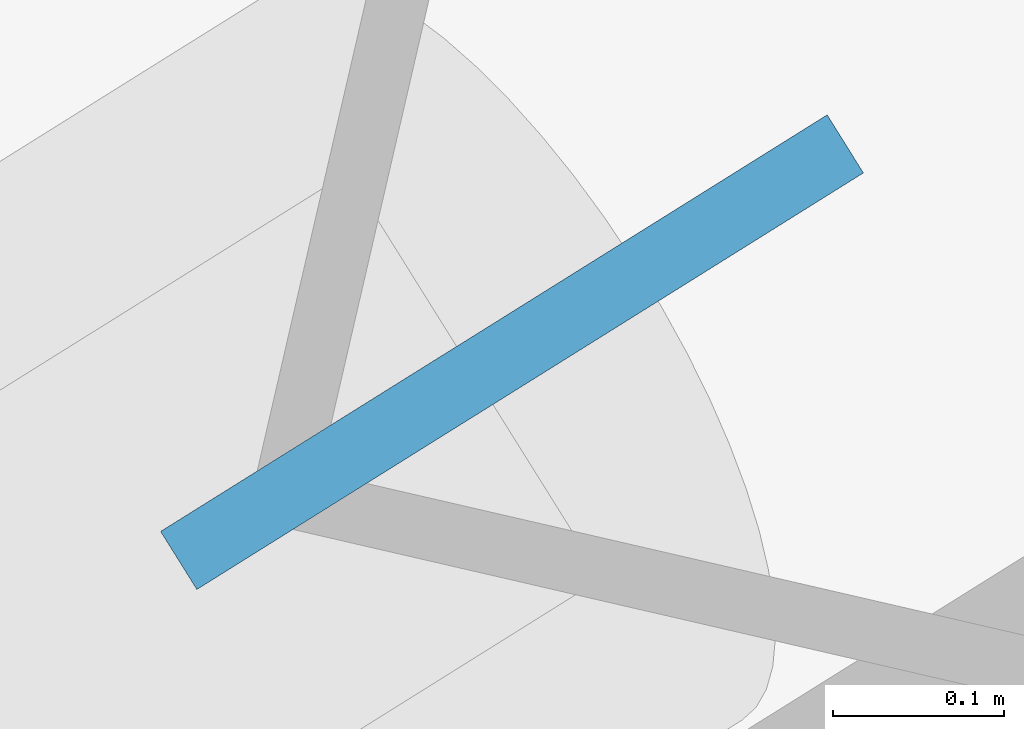
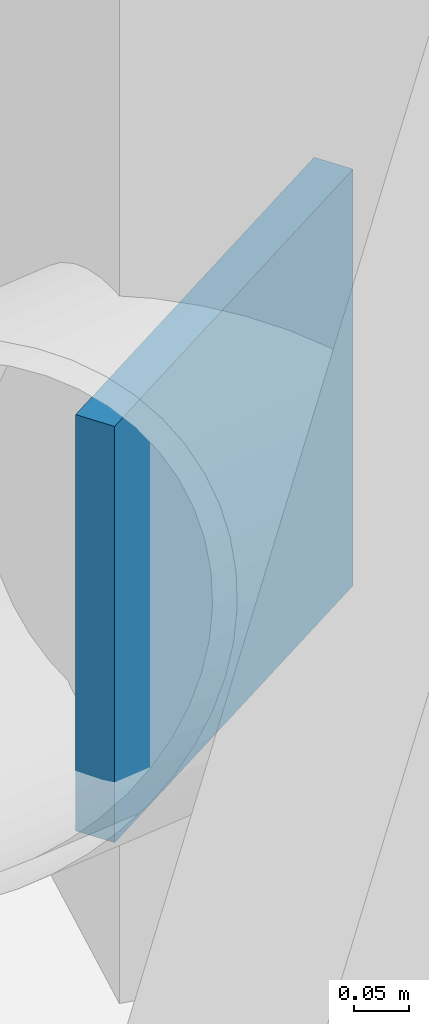
# One storey, part 18 of 21: 1 discrete accessory.
"""IFC4 building model written with IfcOpenShell, lengths in metres."""

from ifc_helpers import new_model, si_unit, direction, frame, origin, origin_2d, place, context, subcontext, project, spatial, rectangle, extrude, material, type_object, element, save


model = new_model("IFC4")

# Units and contexts
model_context = context("Model", 3, precision=1e-05, world=origin(), true_north=direction((0.0, 1.0)))
body_context = subcontext(model_context, "Body", "Model", "MODEL_VIEW")
ifc_project = project(units=[si_unit("LENGTHUNIT", "METRE"), si_unit("AREAUNIT", "SQUARE_METRE"), si_unit("VOLUMEUNIT", "CUBIC_METRE"), si_unit("PLANEANGLEUNIT", "RADIAN"), si_unit("MASSUNIT", "GRAM", prefix="KILO")], contexts=[model_context])

# Site, building, storey
site_placement = place(None, origin())
site = spatial("IfcSite", under=ifc_project, at=site_placement, CompositionType="ELEMENT")
building_placement = place(site_placement, origin())
building = spatial("IfcBuilding", under=site, at=building_placement, Name="Tavrogorsk Clinical Tower", CompositionType="ELEMENT")
storey_placement = place(building_placement, frame((0.0, 0.0, 43.39990234375)))
storey = spatial("IfcBuildingStorey", under=building, at=storey_placement, Name="L08", CompositionType="ELEMENT", Elevation=43.39990234375)

# Discrete accessory
ifc_material = material(Name="Structural steel S440", Category="steel")
discrete_accessory_type = type_object("IfcDiscreteAccessoryType", Name="GussetPlateBracket_25", PredefinedType="BRACKET", material=ifc_material)
discrete_accessory_placement = place(storey_placement, frame((-30.364013671875, 29.9541015625, 0.212646484375), z_axis=(0.0, 0.0, 1.0), x_axis=(-0.848048096156, -0.529919264233, 0.0)))
element("IfcDiscreteAccessory", 1, at=discrete_accessory_placement, inside=storey, type_object=discrete_accessory_type, Name="L08 Brace Gusset Plate EXOCRN-L08-3-A", PredefinedType="BRACKET", context=body_context, shape_type="SweptSolid", body=[
    extrude(rectangle(XDim=0.4599609375, YDim=0.0400390625, at=origin_2d()), origin(), (0.0, 0.0, 1.0), 0.4599609375),
])

save(model, "model.ifc")
